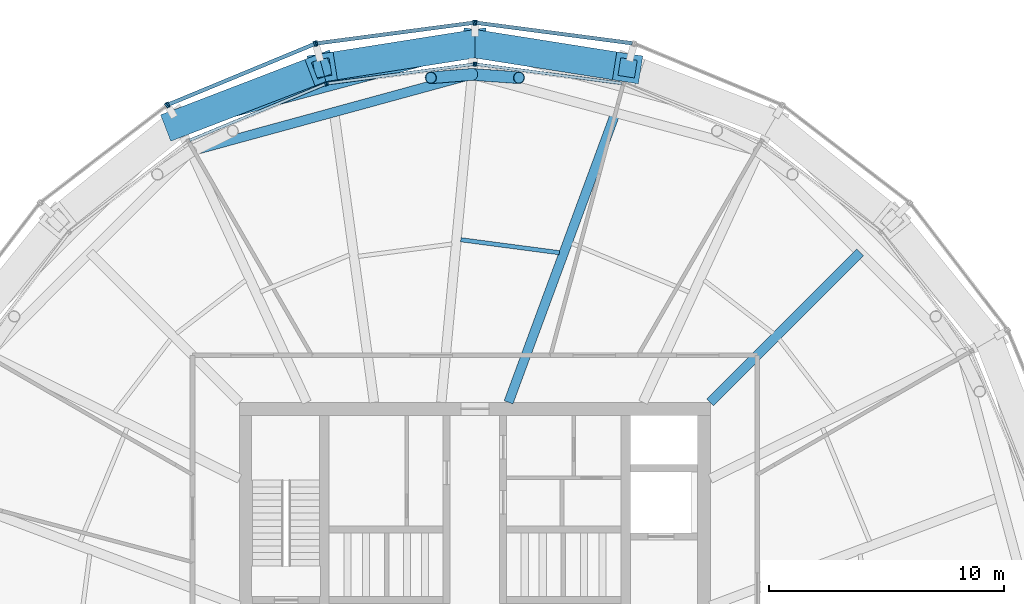
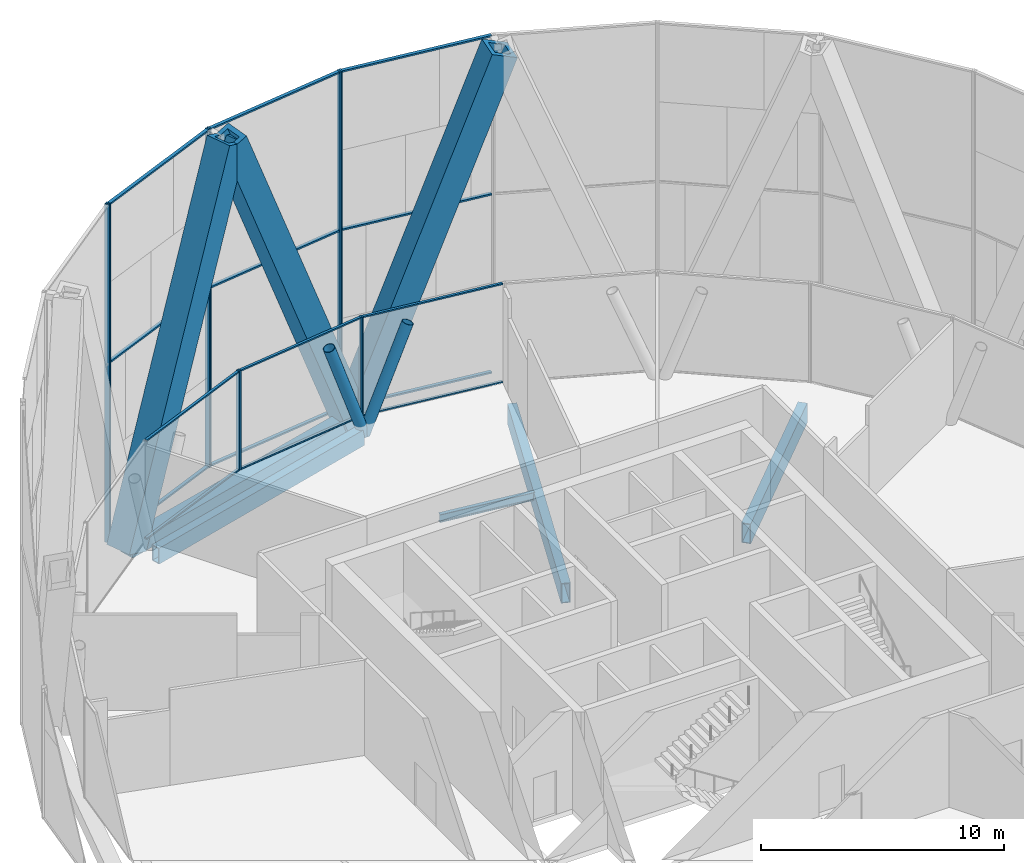
# One storey, part 7 of 17: 30 members, 5 beams, 7 elements without a shape of their own.
"""IFC4 building model written with IfcOpenShell, lengths in metres."""

from ifc_helpers import new_model, si_unit, direction, frame, origin, origin_2d, place, context, subcontext, project, spatial, rectangle, hollow_rectangle, hollow_circle, i_section, extrude, material, material_profile, profile_set, type_object, element, aggregate, save


model = new_model("IFC4")

# Units and contexts
model_context = context("Model", 3, precision=1e-05, world=origin(), true_north=direction((0.0, 1.0)))
body_context = subcontext(model_context, "Body", "Model", "MODEL_VIEW")
ifc_project = project(units=[si_unit("LENGTHUNIT", "METRE"), si_unit("AREAUNIT", "SQUARE_METRE"), si_unit("VOLUMEUNIT", "CUBIC_METRE"), si_unit("PLANEANGLEUNIT", "RADIAN"), si_unit("MASSUNIT", "GRAM", prefix="KILO")], contexts=[model_context])

# Site, building, storey
site_placement = place(None, origin())
site = spatial("IfcSite", under=ifc_project, at=site_placement, CompositionType="ELEMENT")
building_placement = place(site_placement, origin())
building = spatial("IfcBuilding", under=site, at=building_placement, Name="Golbaran Civic Tower", CompositionType="ELEMENT")
storey_placement = place(building_placement, frame((0.0, 0.0, 150.0)))
storey = spatial("IfcBuildingStorey", under=building, at=storey_placement, Name="L36", CompositionType="ELEMENT", Elevation=150.0)

# Members
ifc_material_1 = material(Name="Steel S355", Category="steel")
ifc_material_profile_1 = material_profile(ifc_material_1, hollow_circle(Radius=0.25390625, WallThickness=0.02490234375, at=origin_2d()), Name="CHS 508.0x25")
ifc_profile_set_1 = profile_set([ifc_material_profile_1], Name="Steel S355")
member_type_1 = type_object("IfcMemberType", Name="BELT TRUSS DIAGONAL CHS 508.0x25", PredefinedType="BRACE", material=ifc_profile_set_1)
member_1_placement = place(storey_placement, frame((-0.1220703125, 23.93115234375, -0.60009765625), z_axis=(-0.330110941114, -0.026537878867, 0.943569026379), x_axis=(0.080132270994, -0.996784239013, 0.0)))
element("IfcMember", 1, at=member_1_placement, inside=storey, type_object=member_type_1, Name="Belt truss diagonal 90.00R L36", PredefinedType="BRACE", context=body_context, shape_type="SweptSolid", body=[
    extrude(hollow_circle(Radius=0.25390625, WallThickness=0.02490234375, at=origin_2d()), origin(), (0.0, 0.0, 1.0), 5.299072265625),
])
member_2_placement = place(storey_placement, frame((-0.1220703125, 23.93115234375, -0.60009765625), z_axis=(0.37020841022, -0.0261163557, 0.928581535983), x_axis=(0.070370124576, 0.997520949939, 0.0)))
element("IfcMember", 2, at=member_2_placement, inside=storey, type_object=member_type_1, Name="Belt truss diagonal 90.00L L36", PredefinedType="BRACE", context=body_context, shape_type="SweptSolid", body=[
    extrude(hollow_circle(Radius=0.25390625, WallThickness=0.02490234375, at=origin_2d()), origin(), (0.0, 0.0, 1.0), 5.384521484375),
])
ifc_material_profile_2 = material_profile(ifc_material_1, hollow_rectangle(XDim=1.199951171875, YDim=1.199951171875, WallThickness=0.219970703125, at=origin_2d()), Name="BOX 1200x1200x220")
ifc_profile_set_2 = profile_set([ifc_material_profile_2], Name="Steel S355")
member_type_2 = type_object("IfcMemberType", Name="DIAGRID DIAGONAL BOX 1200x1200x220", PredefinedType="BRACE", material=ifc_profile_set_2)
for number, where, z_axis, x_axis, name in (
    (3, (0.0, 25.23388671875, -0.7099609375), (-0.35594104321, -0.056237881046, 0.932814705337), (0.15606184074, -0.987747286438, 0.0), "Diagonal D08-03R L36-L40"),
    (4, (0.0, 25.23388671875, -0.7099609375), (0.35594104321, -0.056237881046, 0.932814705337), (0.15606184074, 0.987747286438, 0.0), "Diagonal D08-03L L36-L40"),
    (5, (-12.616943359375, 21.853271484375, -0.7099609375), (0.336369669426, 0.129261656788, 0.932816632342), (-0.358710018371, 0.933449046665, 0.0), "Diagonal D08-04L L36-L40"),
):
    element("IfcMember", number, at=place(storey_placement, frame(where, z_axis=z_axis, x_axis=x_axis)), inside=storey, type_object=member_type_2, Name=name, PredefinedType="BRACE", context=body_context, shape_type="SweptSolid", body=[
        extrude(hollow_rectangle(XDim=1.199951171875, YDim=1.199951171875, WallThickness=0.219970703125, at=origin_2d()), origin(), (0.0, 0.0, 1.0), 18.224365234375),
    ])

# Beams
ifc_material_profile_3 = material_profile(ifc_material_1, hollow_rectangle(XDim=0.699951171875, YDim=0.699951171875, WallThickness=0.080078125, at=origin_2d()), Name="BOX 700x700x80")
ifc_profile_set_3 = profile_set([ifc_material_profile_3], Name="Steel S355")
beam_type_1 = type_object("IfcBeamType", Name="DIAGRID RING TIE BOX 700x700x80", PredefinedType="BEAM", material=ifc_profile_set_3)
beam_1_placement = place(storey_placement, frame((0.0, 25.23388671875, -0.7099609375), z_axis=(-0.965927444509, -0.258813005749, 0.0), x_axis=(0.258813005749, -0.965927444509, 0.0)))
element("IfcBeam", 6, at=beam_1_placement, inside=storey, type_object=beam_type_1, Name="Ring tie 90.00 L36", PredefinedType="BEAM", context=body_context, shape_type="SweptSolid", body=[
    extrude(hollow_rectangle(XDim=0.699951171875, YDim=0.699951171875, WallThickness=0.080078125, at=origin_2d()), origin(), (0.0, 0.0, 1.0), 13.06201171875),
])
ifc_material_profile_4 = material_profile(ifc_material_1, hollow_rectangle(XDim=0.39990234375, YDim=0.800048828125, WallThickness=0.0400390625, at=origin_2d()), Name="BOX 800x400x40")
ifc_profile_set_4 = profile_set([ifc_material_profile_4], Name="Steel S355")
beam_type_2 = type_object("IfcBeamType", Name="EDGE BEAM BOX 800x400x40", PredefinedType="BEAM", material=ifc_profile_set_4)
beam_2_placement = place(storey_placement, frame((-0.3076171875, 23.88037109375, -0.60009765625), z_axis=(-0.964616368388, -0.263657470665, 0.0), x_axis=(0.263657470665, -0.964616368388, 0.0)))
element("IfcBeam", 7, at=beam_2_placement, inside=storey, type_object=beam_type_2, Name="Edge beam 90.00 L36", PredefinedType="BEAM", context=body_context, shape_type="SweptSolid", body=[
    extrude(hollow_rectangle(XDim=0.39990234375, YDim=0.800048828125, WallThickness=0.0400390625, at=origin_2d()), origin(), (0.0, 0.0, 1.0), 12.010009765625),
])
ifc_material_profile_5 = material_profile(ifc_material_1, i_section(OverallWidth=0.179931640625, OverallDepth=0.39990234375, WebThickness=0.008544921875, FlangeThickness=0.013427734375, FilletRadius=0.02099609375, at=origin_2d()), Name="IPE 400")
ifc_profile_set_5 = profile_set([ifc_material_profile_5], Name="Steel S355")
beam_type_3 = type_object("IfcBeamType", Name="FLOOR INFILL BEAM IPE 400", PredefinedType="BEAM", material=ifc_profile_set_5)
beam_3_placement = place(storey_placement, frame((3.58642578125, 16.356689453125, -0.39990234375), z_axis=(-0.991441696394, 0.130550230374, 0.0), x_axis=(-0.130550230374, -0.991441696394, 0.0)))
element("IfcBeam", 8, at=beam_3_placement, inside=storey, type_object=beam_type_3, Name="Infill beam 82.50 L36", PredefinedType="BEAM", context=body_context, shape_type="SweptSolid", body=[
    extrude(i_section(OverallWidth=0.179931640625, OverallDepth=0.39990234375, WebThickness=0.008544921875, FlangeThickness=0.013427734375, FilletRadius=0.02099609375, at=origin_2d()), origin(), (0.0, 0.0, 1.0), 4.22265625),
])

# Curtain wall, member
ifc_material_2 = material(Name="Aluminium and glass", Category="aluminium")
curtain_wall_type_1 = type_object("IfcCurtainWallType", Name="OUTER SKIN TERRACOTTA SCREEN", PredefinedType="NOTDEFINED", material=ifc_material_2)
curtain_wall_1_placement = place(storey_placement, origin())
curtain_wall_1 = element("IfcCurtainWall", 9, at=curtain_wall_1_placement, inside=storey, type_object=curtain_wall_type_1, Name="Outer skin L36 facet 6 CW3", ObjectType="OUTER SKIN", PredefinedType="USERDEFINED")
ifc_material_3 = material(Name="Aluminium", Category="aluminium")
ifc_material_profile_6 = material_profile(ifc_material_3, rectangle(XDim=0.219970703125, YDim=0.080078125, at=origin_2d()), Name="OUTER SKIN TERRACOTTA SCREEN MULLION")
ifc_profile_set_6 = profile_set([ifc_material_profile_6], Name="Aluminium")
member_type_3 = type_object("IfcMemberType", Name="OUTER SKIN TERRACOTTA SCREEN MULLION", PredefinedType="MULLION", material=ifc_profile_set_6)
member_3_placement = place(storey_placement, frame((0.03955078125, 26.128662109375, -0.7099609375), z_axis=(0.0, 0.0, 1.0), x_axis=(-0.130526192255, -0.991444861369, 0.0)))
member_3 = element("IfcMember", 10, at=member_3_placement, type_object=member_type_3, Name="CW3 mullion 2", PredefinedType="MULLION", context=body_context, shape_type="SweptSolid", body=[
    extrude(rectangle(XDim=0.219970703125, YDim=0.080078125, at=origin_2d()), origin(), (0.0, 0.0, 1.0), 17.0),
])

# Curtain wall, members
curtain_wall_2_placement = place(storey_placement, origin())
curtain_wall_2 = element("IfcCurtainWall", 11, at=curtain_wall_2_placement, inside=storey, type_object=curtain_wall_type_1, Name="Outer skin L36 facet 7 CW3", ObjectType="OUTER SKIN", PredefinedType="USERDEFINED")
member_4_placement = place(storey_placement, frame((-0.03955078125, 26.128662109375, -0.7099609375), z_axis=(0.0, 0.0, 1.0), x_axis=(0.130526192255, -0.991444861369, 0.0)))
member_4 = element("IfcMember", 12, at=member_4_placement, type_object=member_type_3, Name="CW3 mullion 1", PredefinedType="MULLION", context=body_context, shape_type="SweptSolid", body=[
    extrude(rectangle(XDim=0.219970703125, YDim=0.080078125, at=origin_2d()), origin(), (0.0, 0.0, 1.0), 17.0),
])
member_5_placement = place(storey_placement, frame((-6.724365234375, 25.248779296875, -0.7099609375), z_axis=(0.0, 0.0, 1.0), x_axis=(0.130526192255, -0.991444861369, 0.0)))
member_5 = element("IfcMember", 13, at=member_5_placement, type_object=member_type_3, Name="CW3 mullion 2", PredefinedType="MULLION", context=body_context, shape_type="SweptSolid", body=[
    extrude(rectangle(XDim=0.219970703125, YDim=0.080078125, at=origin_2d()), origin(), (0.0, 0.0, 1.0), 17.0),
])

curtain_wall_3_placement = place(storey_placement, origin())
curtain_wall_3 = element("IfcCurtainWall", 14, at=curtain_wall_3_placement, inside=storey, type_object=curtain_wall_type_1, Name="Outer skin L36 facet 8 CW3", ObjectType="OUTER SKIN", PredefinedType="USERDEFINED")
member_6_placement = place(storey_placement, frame((-6.801025390625, 25.228271484375, -0.7099609375), z_axis=(0.0, 0.0, 1.0), x_axis=(0.382683432284, -0.923879532545, 0.0)))
member_6 = element("IfcMember", 15, at=member_6_placement, type_object=member_type_3, Name="CW3 mullion 1", PredefinedType="MULLION", context=body_context, shape_type="SweptSolid", body=[
    extrude(rectangle(XDim=0.219970703125, YDim=0.080078125, at=origin_2d()), origin(), (0.0, 0.0, 1.0), 17.0),
])
member_7_placement = place(storey_placement, frame((-13.030029296875, 22.64794921875, -0.7099609375), z_axis=(0.0, 0.0, 1.0), x_axis=(0.382683432284, -0.923879532545, 0.0)))
member_7 = element("IfcMember", 16, at=member_7_placement, type_object=member_type_3, Name="CW3 mullion 2", PredefinedType="MULLION", context=body_context, shape_type="SweptSolid", body=[
    extrude(rectangle(XDim=0.219970703125, YDim=0.080078125, at=origin_2d()), origin(), (0.0, 0.0, 1.0), 17.0),
])

# Curtain wall, member
curtain_wall_4_placement = place(storey_placement, origin())
curtain_wall_4 = element("IfcCurtainWall", 17, at=curtain_wall_4_placement, inside=storey, type_object=curtain_wall_type_1, Name="Outer skin L36 facet 9 CW3", ObjectType="OUTER SKIN", PredefinedType="USERDEFINED")
member_8_placement = place(storey_placement, frame((-13.0986328125, 22.6083984375, -0.7099609375), z_axis=(0.0, 0.0, 1.0), x_axis=(0.608761428981, -0.793353340312, 0.0)))
member_8 = element("IfcMember", 18, at=member_8_placement, type_object=member_type_3, Name="CW3 mullion 1", PredefinedType="MULLION", context=body_context, shape_type="SweptSolid", body=[
    extrude(rectangle(XDim=0.219970703125, YDim=0.080078125, at=origin_2d()), origin(), (0.0, 0.0, 1.0), 17.0),
])
aggregate(curtain_wall_4, [member_8])

# Member
ifc_material_profile_7 = material_profile(ifc_material_3, rectangle(XDim=0.159912109375, YDim=0.080078125, at=origin_2d()), Name="OUTER SKIN TERRACOTTA SCREEN TRANSOM")
ifc_profile_set_7 = profile_set([ifc_material_profile_7], Name="Aluminium")
member_type_4 = type_object("IfcMemberType", Name="OUTER SKIN TERRACOTTA SCREEN TRANSOM", PredefinedType="USERDEFINED", material=ifc_profile_set_7)
member_9_placement = place(storey_placement, frame((6.6845703125, 25.25390625, -0.669921875), z_axis=(-0.991444189485, 0.130531295618, 0.0), x_axis=(-0.130531295618, -0.991444189485, 0.0)))
member_9 = element("IfcMember", 19, at=member_9_placement, type_object=member_type_4, Name="CW3 transom 1.1", ObjectType="TRANSOM", PredefinedType="USERDEFINED", context=body_context, shape_type="SweptSolid", body=[
    extrude(rectangle(XDim=0.159912109375, YDim=0.080078125, at=origin_2d()), origin(), (0.0, 0.0, 1.0), 6.662109375),
])

member_10_placement = place(storey_placement, frame((6.6845703125, 25.25390625, 8.2900390625), z_axis=(-0.991444189485, 0.130531295618, 0.0), x_axis=(-0.130531295618, -0.991444189485, 0.0)))
member_10 = element("IfcMember", 20, at=member_10_placement, type_object=member_type_4, Name="CW3 transom 1.2", ObjectType="TRANSOM", PredefinedType="USERDEFINED", context=body_context, shape_type="SweptSolid", body=[
    extrude(rectangle(XDim=0.159912109375, YDim=0.080078125, at=origin_2d()), origin(), (0.0, 0.0, 1.0), 6.662109375),
])

member_11_placement = place(storey_placement, frame((6.6845703125, 25.25390625, 16.25), z_axis=(-0.991444189485, 0.130531295618, 0.0), x_axis=(-0.130531295618, -0.991444189485, 0.0)))
member_11 = element("IfcMember", 21, at=member_11_placement, type_object=member_type_4, Name="CW3 transom 1.3", ObjectType="TRANSOM", PredefinedType="USERDEFINED", context=body_context, shape_type="SweptSolid", body=[
    extrude(rectangle(XDim=0.159912109375, YDim=0.080078125, at=origin_2d()), origin(), (0.0, 0.0, 1.0), 6.662109375),
])

aggregate(curtain_wall_1, [member_3, member_9, member_10, member_11])

member_12_placement = place(storey_placement, frame((-0.079345703125, 26.12353515625, -0.669921875), z_axis=(-0.991444189485, -0.130531295618, 0.0), x_axis=(0.130531295618, -0.991444189485, 0.0)))
member_12 = element("IfcMember", 22, at=member_12_placement, type_object=member_type_4, Name="CW3 transom 1.1", ObjectType="TRANSOM", PredefinedType="USERDEFINED", context=body_context, shape_type="SweptSolid", body=[
    extrude(rectangle(XDim=0.159912109375, YDim=0.080078125, at=origin_2d()), origin(), (0.0, 0.0, 1.0), 6.662109375),
])

member_13_placement = place(storey_placement, frame((-0.079345703125, 26.12353515625, 8.2900390625), z_axis=(-0.991444189485, -0.130531295618, 0.0), x_axis=(0.130531295618, -0.991444189485, 0.0)))
member_13 = element("IfcMember", 23, at=member_13_placement, type_object=member_type_4, Name="CW3 transom 1.2", ObjectType="TRANSOM", PredefinedType="USERDEFINED", context=body_context, shape_type="SweptSolid", body=[
    extrude(rectangle(XDim=0.159912109375, YDim=0.080078125, at=origin_2d()), origin(), (0.0, 0.0, 1.0), 6.662109375),
])

member_14_placement = place(storey_placement, frame((-0.079345703125, 26.12353515625, 16.25), z_axis=(-0.991444189485, -0.130531295618, 0.0), x_axis=(0.130531295618, -0.991444189485, 0.0)))
member_14 = element("IfcMember", 24, at=member_14_placement, type_object=member_type_4, Name="CW3 transom 1.3", ObjectType="TRANSOM", PredefinedType="USERDEFINED", context=body_context, shape_type="SweptSolid", body=[
    extrude(rectangle(XDim=0.159912109375, YDim=0.080078125, at=origin_2d()), origin(), (0.0, 0.0, 1.0), 6.662109375),
])

aggregate(curtain_wall_2, [member_4, member_5, member_12, member_13, member_14])

member_15_placement = place(storey_placement, frame((-6.837890625, 25.212890625, -0.669921875), z_axis=(-0.923881506114, -0.382678667632, 0.0), x_axis=(0.382678667632, -0.923881506114, 0.0)))
member_15 = element("IfcMember", 25, at=member_15_placement, type_object=member_type_4, Name="CW3 transom 1.1", ObjectType="TRANSOM", PredefinedType="USERDEFINED", context=body_context, shape_type="SweptSolid", body=[
    extrude(rectangle(XDim=0.159912109375, YDim=0.080078125, at=origin_2d()), origin(), (0.0, 0.0, 1.0), 6.662353515625),
])

member_16_placement = place(storey_placement, frame((-6.837890625, 25.212890625, 8.2900390625), z_axis=(-0.923881506114, -0.382678667632, 0.0), x_axis=(0.382678667632, -0.923881506114, 0.0)))
member_16 = element("IfcMember", 26, at=member_16_placement, type_object=member_type_4, Name="CW3 transom 1.2", ObjectType="TRANSOM", PredefinedType="USERDEFINED", context=body_context, shape_type="SweptSolid", body=[
    extrude(rectangle(XDim=0.159912109375, YDim=0.080078125, at=origin_2d()), origin(), (0.0, 0.0, 1.0), 6.662353515625),
])

member_17_placement = place(storey_placement, frame((-6.837890625, 25.212890625, 16.25), z_axis=(-0.923881506114, -0.382678667632, 0.0), x_axis=(0.382678667632, -0.923881506114, 0.0)))
member_17 = element("IfcMember", 27, at=member_17_placement, type_object=member_type_4, Name="CW3 transom 1.3", ObjectType="TRANSOM", PredefinedType="USERDEFINED", context=body_context, shape_type="SweptSolid", body=[
    extrude(rectangle(XDim=0.159912109375, YDim=0.080078125, at=origin_2d()), origin(), (0.0, 0.0, 1.0), 6.662353515625),
])

aggregate(curtain_wall_3, [member_6, member_7, member_15, member_16, member_17])

# Curtain wall, member
curtain_wall_type_2 = type_object("IfcCurtainWallType", Name="PLANT FLOOR LOUVRE WALL", PredefinedType="NOTDEFINED", material=ifc_material_2)
curtain_wall_5_placement = place(storey_placement, origin())
curtain_wall_5 = element("IfcCurtainWall", 28, at=curtain_wall_5_placement, inside=storey, type_object=curtain_wall_type_2, Name="Inner skin L36 facet 6 CW6", ObjectType="PLANT LOUVRE WALL", PredefinedType="USERDEFINED")
ifc_material_profile_8 = material_profile(ifc_material_3, rectangle(XDim=0.159912109375, YDim=0.070068359375, at=origin_2d()), Name="PLANT FLOOR LOUVRE WALL MULLION")
ifc_profile_set_8 = profile_set([ifc_material_profile_8], Name="Aluminium")
member_type_5 = type_object("IfcMemberType", Name="PLANT FLOOR LOUVRE WALL MULLION", PredefinedType="MULLION", material=ifc_profile_set_8)
member_18_placement = place(storey_placement, frame((0.03466796875, 24.365478515625, 0.0), z_axis=(0.0, 0.0, 1.0), x_axis=(-0.130526192168, -0.991444861381, 0.0)))
member_18 = element("IfcMember", 29, at=member_18_placement, type_object=member_type_5, Name="CW6 mullion 2", PredefinedType="MULLION", context=body_context, shape_type="SweptSolid", body=[
    extrude(rectangle(XDim=0.159912109375, YDim=0.070068359375, at=origin_2d()), origin(), (0.0, 0.0, 1.0), 5.0),
])

# Curtain wall, members
curtain_wall_6_placement = place(storey_placement, origin())
curtain_wall_6 = element("IfcCurtainWall", 30, at=curtain_wall_6_placement, inside=storey, type_object=curtain_wall_type_2, Name="Inner skin L36 facet 7 CW6", ObjectType="PLANT LOUVRE WALL", PredefinedType="USERDEFINED")
member_19_placement = place(storey_placement, frame((-0.03466796875, 24.365478515625, 0.0), z_axis=(0.0, 0.0, 1.0), x_axis=(0.130526192168, -0.991444861381, 0.0)))
member_19 = element("IfcMember", 31, at=member_19_placement, type_object=member_type_5, Name="CW6 mullion 1", PredefinedType="MULLION", context=body_context, shape_type="SweptSolid", body=[
    extrude(rectangle(XDim=0.159912109375, YDim=0.070068359375, at=origin_2d()), origin(), (0.0, 0.0, 1.0), 5.0),
])
member_20_placement = place(storey_placement, frame((-6.272705078125, 23.544189453125, 0.0), z_axis=(0.0, 0.0, 1.0), x_axis=(0.130526192168, -0.991444861381, 0.0)))
member_20 = element("IfcMember", 32, at=member_20_placement, type_object=member_type_5, Name="CW6 mullion 2", PredefinedType="MULLION", context=body_context, shape_type="SweptSolid", body=[
    extrude(rectangle(XDim=0.159912109375, YDim=0.070068359375, at=origin_2d()), origin(), (0.0, 0.0, 1.0), 5.0),
])

# Curtain wall, member
curtain_wall_7_placement = place(storey_placement, origin())
curtain_wall_7 = element("IfcCurtainWall", 33, at=curtain_wall_7_placement, inside=storey, type_object=curtain_wall_type_2, Name="Inner skin L36 facet 8 CW6", ObjectType="PLANT LOUVRE WALL", PredefinedType="USERDEFINED")
member_21_placement = place(storey_placement, frame((-6.33984375, 23.526123046875, 0.0), z_axis=(0.0, 0.0, 1.0), x_axis=(0.38268343243, -0.923879532485, 0.0)))
member_21 = element("IfcMember", 34, at=member_21_placement, type_object=member_type_5, Name="CW6 mullion 1", PredefinedType="MULLION", context=body_context, shape_type="SweptSolid", body=[
    extrude(rectangle(XDim=0.159912109375, YDim=0.070068359375, at=origin_2d()), origin(), (0.0, 0.0, 1.0), 5.0),
])

# Member
ifc_material_profile_9 = material_profile(ifc_material_3, rectangle(XDim=0.1201171875, YDim=0.070068359375, at=origin_2d()), Name="PLANT FLOOR LOUVRE WALL TRANSOM")
ifc_profile_set_9 = profile_set([ifc_material_profile_9], Name="Aluminium")
member_type_6 = type_object("IfcMemberType", Name="PLANT FLOOR LOUVRE WALL TRANSOM", PredefinedType="USERDEFINED", material=ifc_profile_set_9)
member_22_placement = place(storey_placement, frame((6.238037109375, 23.548828125, 0.034912109375), z_axis=(-0.991447215603, 0.130508308826, 0.0), x_axis=(-0.130508308826, -0.991447215603, 0.0)))
member_22 = element("IfcMember", 35, at=member_22_placement, type_object=member_type_6, Name="CW6 transom 1.1", ObjectType="TRANSOM", PredefinedType="USERDEFINED", context=body_context, shape_type="SweptSolid", body=[
    extrude(rectangle(XDim=0.1201171875, YDim=0.070068359375, at=origin_2d()), origin(), (0.0, 0.0, 1.0), 6.221923828125),
])

member_23_placement = place(storey_placement, frame((6.238037109375, 23.548828125, 4.965087890625), z_axis=(-0.991447215603, 0.130508308826, 0.0), x_axis=(-0.130508308826, -0.991447215603, 0.0)))
member_23 = element("IfcMember", 36, at=member_23_placement, type_object=member_type_6, Name="CW6 transom 1.2", ObjectType="TRANSOM", PredefinedType="USERDEFINED", context=body_context, shape_type="SweptSolid", body=[
    extrude(rectangle(XDim=0.1201171875, YDim=0.070068359375, at=origin_2d()), origin(), (0.0, 0.0, 1.0), 6.221923828125),
])

aggregate(curtain_wall_5, [member_18, member_22, member_23])

member_24_placement = place(storey_placement, frame((-0.0693359375, 24.36083984375, 0.034912109375), z_axis=(-0.991447215603, -0.130508308826, 0.0), x_axis=(0.130508308826, -0.991447215603, 0.0)))
member_24 = element("IfcMember", 37, at=member_24_placement, type_object=member_type_6, Name="CW6 transom 1.1", ObjectType="TRANSOM", PredefinedType="USERDEFINED", context=body_context, shape_type="SweptSolid", body=[
    extrude(rectangle(XDim=0.1201171875, YDim=0.070068359375, at=origin_2d()), origin(), (0.0, 0.0, 1.0), 6.221923828125),
])

member_25_placement = place(storey_placement, frame((-0.0693359375, 24.36083984375, 4.965087890625), z_axis=(-0.991447215603, -0.130508308826, 0.0), x_axis=(0.130508308826, -0.991447215603, 0.0)))
member_25 = element("IfcMember", 38, at=member_25_placement, type_object=member_type_6, Name="CW6 transom 1.2", ObjectType="TRANSOM", PredefinedType="USERDEFINED", context=body_context, shape_type="SweptSolid", body=[
    extrude(rectangle(XDim=0.1201171875, YDim=0.070068359375, at=origin_2d()), origin(), (0.0, 0.0, 1.0), 6.221923828125),
])

aggregate(curtain_wall_6, [member_19, member_20, member_24, member_25])

member_26_placement = place(storey_placement, frame((-6.3720703125, 23.512939453125, 0.034912109375), z_axis=(-0.923874792408, -0.382694875785, 0.0), x_axis=(0.382694875785, -0.923874792408, 0.0)))
member_26 = element("IfcMember", 39, at=member_26_placement, type_object=member_type_6, Name="CW6 transom 1.1", ObjectType="TRANSOM", PredefinedType="USERDEFINED", context=body_context, shape_type="SweptSolid", body=[
    extrude(rectangle(XDim=0.1201171875, YDim=0.070068359375, at=origin_2d()), origin(), (0.0, 0.0, 1.0), 6.221923828125),
])

member_27_placement = place(storey_placement, frame((-6.3720703125, 23.512939453125, 4.965087890625), z_axis=(-0.923874792408, -0.382694875785, 0.0), x_axis=(0.382694875785, -0.923874792408, 0.0)))
member_27 = element("IfcMember", 40, at=member_27_placement, type_object=member_type_6, Name="CW6 transom 1.2", ObjectType="TRANSOM", PredefinedType="USERDEFINED", context=body_context, shape_type="SweptSolid", body=[
    extrude(rectangle(XDim=0.1201171875, YDim=0.070068359375, at=origin_2d()), origin(), (0.0, 0.0, 1.0), 6.221923828125),
])

aggregate(curtain_wall_7, [member_21, member_26, member_27])

# Beams
ifc_material_profile_10 = material_profile(ifc_material_1, hollow_rectangle(XDim=0.39990234375, YDim=1.0, WallThickness=0.0400390625, at=origin_2d()), Name="BOX 1000x400x40")
ifc_profile_set_10 = profile_set([ifc_material_profile_10], Name="Steel S355")
beam_type_4 = type_object("IfcBeamType", Name="SECONDARY FLOOR BEAM BOX 1000x400x40", PredefinedType="BEAM", material=ifc_profile_set_10)
beam_4_placement = place(storey_placement, frame((10.0, 10.0, -0.7099609375), z_axis=(0.707106781187, 0.707106781187, 0.0), x_axis=(-0.707106781187, 0.707106781187, 0.0)))
element("IfcBeam", 41, at=beam_4_placement, inside=storey, type_object=beam_type_4, Name="Secondary beam 45.00 L36", PredefinedType="BEAM", context=body_context, shape_type="SweptSolid", body=[
    extrude(hollow_rectangle(XDim=0.39990234375, YDim=1.0, WallThickness=0.0400390625, at=origin_2d()), origin(), (0.0, 0.0, 1.0), 9.0),
])
beam_5_placement = place(storey_placement, frame((1.428466796875, 10.0, -0.7099609375), z_axis=(0.346730273092, 0.937964880857, 0.0), x_axis=(-0.937964880857, 0.346730273092, 0.0)))
element("IfcBeam", 42, at=beam_5_placement, inside=storey, type_object=beam_type_4, Name="Secondary beam 75.00 L36", PredefinedType="BEAM", context=body_context, shape_type="SweptSolid", body=[
    extrude(hollow_rectangle(XDim=0.39990234375, YDim=1.0, WallThickness=0.0400390625, at=origin_2d()), origin(), (0.0, 0.0, 1.0), 13.111572265625),
])

save(model, "model.ifc")
